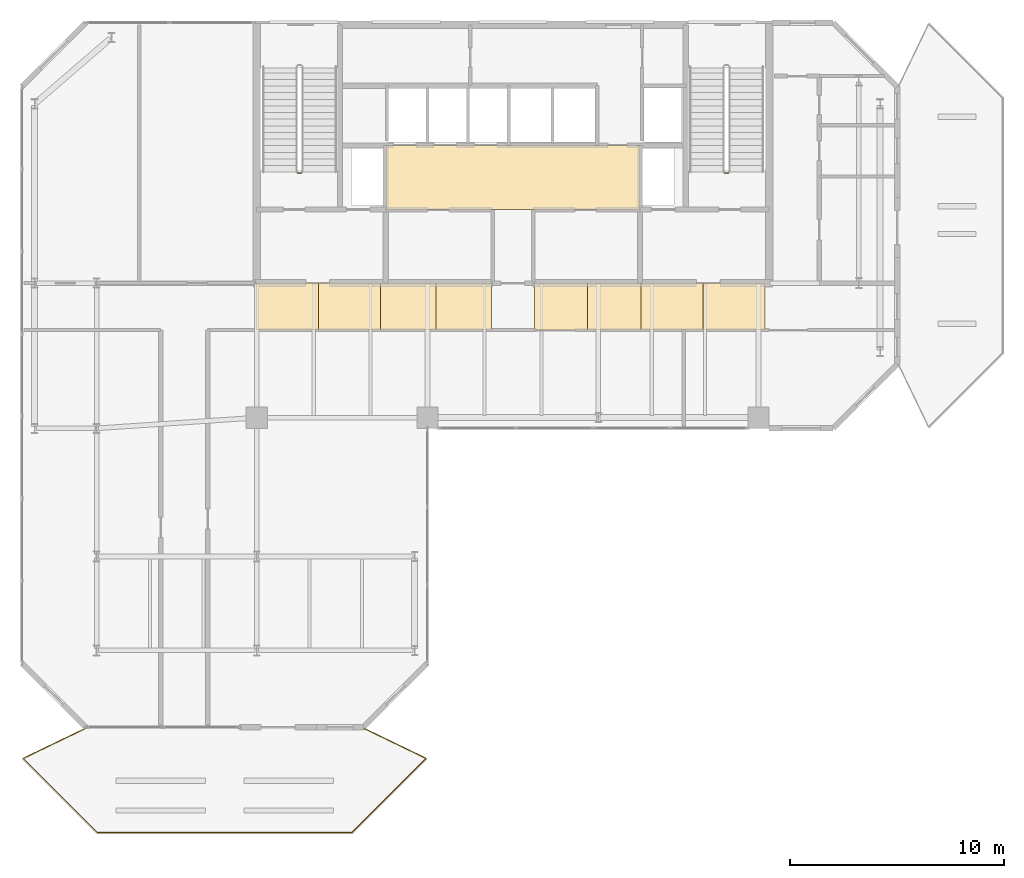
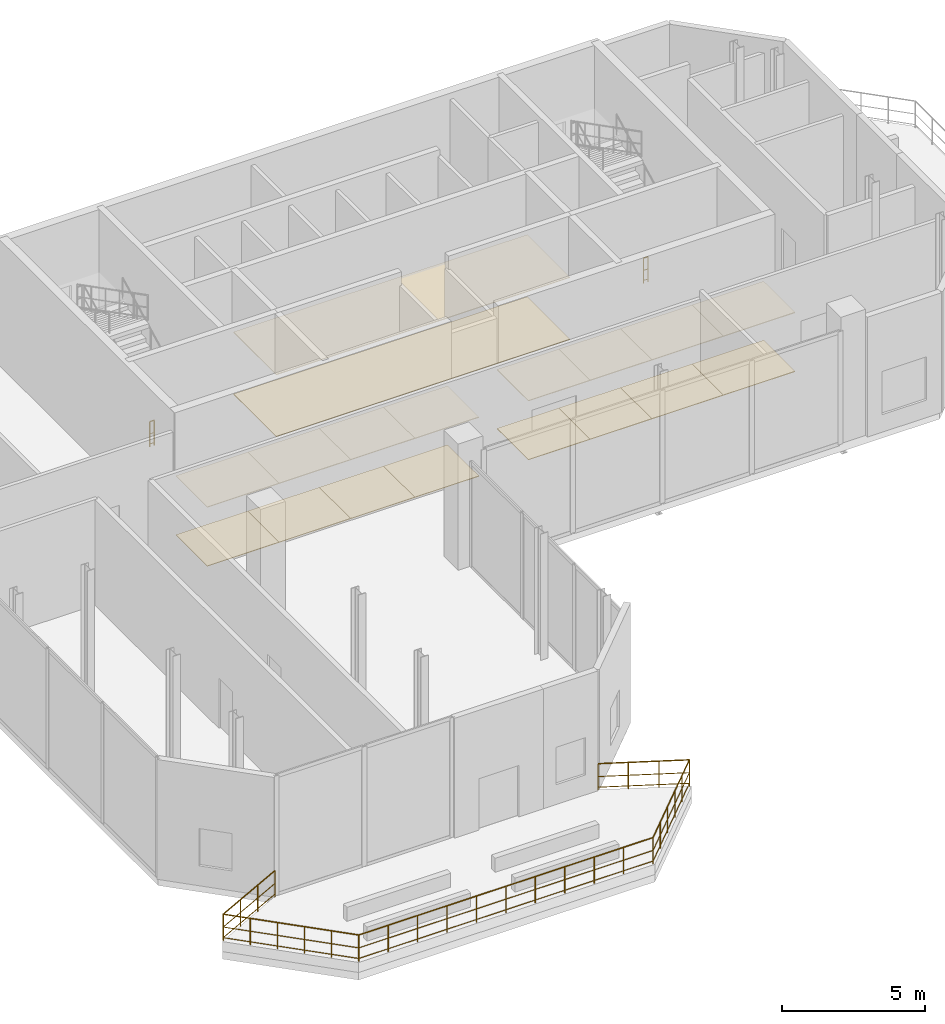
# One storey, part 16 of 17: 18 coverings, 3 railings.
"""IFC4 building model written with IfcOpenShell, lengths in metres."""

from ifc_helpers import new_model, si_unit, direction, frame, origin, origin_2d, place, context, subcontext, project, spatial, polyline, circle, outline, extrude, material, layer, layer_set, type_object, element, save


model = new_model("IFC4")

# Units and contexts
model_context = context("Model", 3, precision=1e-05, world=origin(), true_north=direction((0.0, 1.0)))
body_context = subcontext(model_context, "Body", "Model", "MODEL_VIEW")
ifc_project = project(units=[si_unit("LENGTHUNIT", "METRE"), si_unit("AREAUNIT", "SQUARE_METRE"), si_unit("VOLUMEUNIT", "CUBIC_METRE"), si_unit("PLANEANGLEUNIT", "RADIAN"), si_unit("MASSUNIT", "GRAM", prefix="KILO")], contexts=[model_context])

# Site, building, storey
site_placement = place(None, origin())
site = spatial("IfcSite", under=ifc_project, at=site_placement, CompositionType="ELEMENT")
building_placement = place(site_placement, origin())
building = spatial("IfcBuilding", under=site, at=building_placement, Name="Catumbela Crestline Tower", CompositionType="ELEMENT")
storey_placement = place(building_placement, frame((0.0, 0.0, 213.0)))
storey = spatial("IfcBuildingStorey", under=building, at=storey_placement, Name="L55", CompositionType="ELEMENT", Elevation=213.0)

# Coverings
ifc_material_1 = material(Name="Mineral-fibre acoustic ceiling")
ifc_layer_1 = layer(ifc_material_1, 0.03, Name="Mineral-fibre acoustic ceiling")
ifc_layer_set_1 = layer_set([ifc_layer_1], Name="Mineral-fibre acoustic ceiling")
covering_type_1 = type_object("IfcCoveringType", Name="CC-AC", PredefinedType="CEILING", material=ifc_layer_set_1)
covering_1_placement = place(storey_placement, frame((0.0, 0.0, 2.65)))
element("IfcCovering", 1, at=covering_1_placement, inside=storey, type_object=covering_type_1, Name="L55 Lift Lobby Acoustic Ceiling", PredefinedType="CEILING", context=body_context, shape_type="SweptSolid", body=[
    extrude(outline(polyline([(22.05, 34.25), (33.95, 34.25), (33.95, 37.25), (22.05, 37.25), (22.05, 34.25)])), origin(), (0.0, 0.0, 1.0), 0.03),
])
covering_2_placement = place(storey_placement, frame((0.0, 0.0, 2.52)))
element("IfcCovering", 2, at=covering_2_placement, inside=storey, type_object=covering_type_1, Name="L55 Corridor Acoustic Ceiling Bay 1", PredefinedType="CEILING", context=body_context, shape_type="SweptSolid", body=[
    extrude(outline(polyline([(16.0, 28.6), (18.9, 28.6), (18.9, 30.8), (16.0, 30.8), (16.0, 28.6)])), origin(), (0.0, 0.0, 1.0), 0.03),
])
covering_3_placement = place(storey_placement, frame((0.0, 0.0, 2.52)))
element("IfcCovering", 3, at=covering_3_placement, inside=storey, type_object=covering_type_1, Name="L55 Corridor Acoustic Ceiling Bay 2", PredefinedType="CEILING", context=body_context, shape_type="SweptSolid", body=[
    extrude(outline(polyline([(18.9, 28.6), (21.8, 28.6), (21.8, 30.8), (18.9, 30.8), (18.9, 28.6)])), origin(), (0.0, 0.0, 1.0), 0.03),
])
covering_4_placement = place(storey_placement, frame((0.0, 0.0, 2.52)))
element("IfcCovering", 4, at=covering_4_placement, inside=storey, type_object=covering_type_1, Name="L55 Corridor Acoustic Ceiling Bay 3", PredefinedType="CEILING", context=body_context, shape_type="SweptSolid", body=[
    extrude(outline(polyline([(21.8, 28.6), (24.4, 28.6), (24.4, 30.8), (21.8, 30.8), (21.8, 28.6)])), origin(), (0.0, 0.0, 1.0), 0.03),
])
covering_5_placement = place(storey_placement, frame((0.0, 0.0, 2.52)))
element("IfcCovering", 5, at=covering_5_placement, inside=storey, type_object=covering_type_1, Name="L55 Corridor Acoustic Ceiling Bay 4", PredefinedType="CEILING", context=body_context, shape_type="SweptSolid", body=[
    extrude(outline(polyline([(24.4, 28.6), (27.0, 28.6), (27.0, 30.8), (24.4, 30.8), (24.4, 28.6)])), origin(), (0.0, 0.0, 1.0), 0.03),
])
covering_6_placement = place(storey_placement, frame((0.0, 0.0, 2.52)))
element("IfcCovering", 6, at=covering_6_placement, inside=storey, type_object=covering_type_1, Name="L55 Corridor Acoustic Ceiling Bay 5", PredefinedType="CEILING", context=body_context, shape_type="SweptSolid", body=[
    extrude(outline(polyline([(29.0, 28.6), (31.5, 28.6), (31.5, 30.8), (29.0, 30.8), (29.0, 28.6)])), origin(), (0.0, 0.0, 1.0), 0.03),
])
covering_7_placement = place(storey_placement, frame((0.0, 0.0, 2.52)))
element("IfcCovering", 7, at=covering_7_placement, inside=storey, type_object=covering_type_1, Name="L55 Corridor Acoustic Ceiling Bay 6", PredefinedType="CEILING", context=body_context, shape_type="SweptSolid", body=[
    extrude(outline(polyline([(31.5, 28.6), (34.0, 28.6), (34.0, 30.8), (31.5, 30.8), (31.5, 28.6)])), origin(), (0.0, 0.0, 1.0), 0.03),
])
covering_8_placement = place(storey_placement, frame((0.0, 0.0, 2.52)))
element("IfcCovering", 8, at=covering_8_placement, inside=storey, type_object=covering_type_1, Name="L55 Corridor Acoustic Ceiling Bay 7", PredefinedType="CEILING", context=body_context, shape_type="SweptSolid", body=[
    extrude(outline(polyline([(34.0, 28.6), (36.9, 28.6), (36.9, 30.8), (34.0, 30.8), (34.0, 28.6)])), origin(), (0.0, 0.0, 1.0), 0.03),
])
covering_9_placement = place(storey_placement, frame((0.0, 0.0, 2.52)))
element("IfcCovering", 9, at=covering_9_placement, inside=storey, type_object=covering_type_1, Name="L55 Corridor Acoustic Ceiling Bay 8", PredefinedType="CEILING", context=body_context, shape_type="SweptSolid", body=[
    extrude(outline(polyline([(36.9, 28.6), (39.8, 28.6), (39.8, 30.8), (36.9, 30.8), (36.9, 28.6)])), origin(), (0.0, 0.0, 1.0), 0.03),
])
ifc_material_2 = material(Name="Angolan grey-ochre granite", Category="masonry")
ifc_layer_2 = layer(ifc_material_2, 0.025, Name="Angolan grey-ochre granite")
ifc_layer_set_2 = layer_set([ifc_layer_2], Name="Angolan grey-ochre granite")
covering_type_2 = type_object("IfcCoveringType", Name="CF-GR", PredefinedType="FLOORING", material=ifc_layer_set_2)
covering_10_placement = place(storey_placement, origin())
element("IfcCovering", 10, at=covering_10_placement, inside=storey, type_object=covering_type_2, Name="L55 Corridor Granite Flooring Bay 1", PredefinedType="FLOORING", context=body_context, shape_type="SweptSolid", body=[
    extrude(outline(polyline([(16.0, 28.6), (18.9, 28.6), (18.9, 30.8), (16.0, 30.8), (16.0, 28.6)])), origin(), (0.0, 0.0, 1.0), 0.025),
])
covering_11_placement = place(storey_placement, origin())
element("IfcCovering", 11, at=covering_11_placement, inside=storey, type_object=covering_type_2, Name="L55 Corridor Granite Flooring Bay 2", PredefinedType="FLOORING", context=body_context, shape_type="SweptSolid", body=[
    extrude(outline(polyline([(18.9, 28.6), (21.8, 28.6), (21.8, 30.8), (18.9, 30.8), (18.9, 28.6)])), origin(), (0.0, 0.0, 1.0), 0.025),
])
covering_12_placement = place(storey_placement, origin())
element("IfcCovering", 12, at=covering_12_placement, inside=storey, type_object=covering_type_2, Name="L55 Corridor Granite Flooring Bay 3", PredefinedType="FLOORING", context=body_context, shape_type="SweptSolid", body=[
    extrude(outline(polyline([(21.8, 28.6), (24.4, 28.6), (24.4, 30.8), (21.8, 30.8), (21.8, 28.6)])), origin(), (0.0, 0.0, 1.0), 0.025),
])
covering_13_placement = place(storey_placement, origin())
element("IfcCovering", 13, at=covering_13_placement, inside=storey, type_object=covering_type_2, Name="L55 Corridor Granite Flooring Bay 4", PredefinedType="FLOORING", context=body_context, shape_type="SweptSolid", body=[
    extrude(outline(polyline([(24.4, 28.6), (27.0, 28.6), (27.0, 30.8), (24.4, 30.8), (24.4, 28.6)])), origin(), (0.0, 0.0, 1.0), 0.025),
])
covering_14_placement = place(storey_placement, origin())
element("IfcCovering", 14, at=covering_14_placement, inside=storey, type_object=covering_type_2, Name="L55 Corridor Granite Flooring Bay 5", PredefinedType="FLOORING", context=body_context, shape_type="SweptSolid", body=[
    extrude(outline(polyline([(29.0, 28.6), (31.5, 28.6), (31.5, 30.8), (29.0, 30.8), (29.0, 28.6)])), origin(), (0.0, 0.0, 1.0), 0.025),
])
covering_15_placement = place(storey_placement, origin())
element("IfcCovering", 15, at=covering_15_placement, inside=storey, type_object=covering_type_2, Name="L55 Corridor Granite Flooring Bay 6", PredefinedType="FLOORING", context=body_context, shape_type="SweptSolid", body=[
    extrude(outline(polyline([(31.5, 28.6), (34.0, 28.6), (34.0, 30.8), (31.5, 30.8), (31.5, 28.6)])), origin(), (0.0, 0.0, 1.0), 0.025),
])
covering_16_placement = place(storey_placement, origin())
element("IfcCovering", 16, at=covering_16_placement, inside=storey, type_object=covering_type_2, Name="L55 Corridor Granite Flooring Bay 7", PredefinedType="FLOORING", context=body_context, shape_type="SweptSolid", body=[
    extrude(outline(polyline([(34.0, 28.6), (36.9, 28.6), (36.9, 30.8), (34.0, 30.8), (34.0, 28.6)])), origin(), (0.0, 0.0, 1.0), 0.025),
])
covering_17_placement = place(storey_placement, origin())
element("IfcCovering", 17, at=covering_17_placement, inside=storey, type_object=covering_type_2, Name="L55 Corridor Granite Flooring Bay 8", PredefinedType="FLOORING", context=body_context, shape_type="SweptSolid", body=[
    extrude(outline(polyline([(36.9, 28.6), (39.8, 28.6), (39.8, 30.8), (36.9, 30.8), (36.9, 28.6)])), origin(), (0.0, 0.0, 1.0), 0.025),
])
covering_18_placement = place(storey_placement, origin())
element("IfcCovering", 18, at=covering_18_placement, inside=storey, type_object=covering_type_2, Name="L55 Lift Lobby Granite Flooring", PredefinedType="FLOORING", context=body_context, shape_type="SweptSolid", body=[
    extrude(outline(polyline([(22.05, 34.25), (33.95, 34.25), (33.95, 37.25), (22.05, 37.25), (22.05, 34.25)])), origin(), (0.0, 0.0, 1.0), 0.025),
])

# Railings
ifc_material_3 = material(Name="Stainless steel EN 1.4401", Category="steel")
railing_type_1 = type_object("IfcRailingType", Name="RG-1100", PredefinedType="GUARDRAIL", material=ifc_material_3)
for number, where, name in (
    (19, (18.09, 35.95, 0.0), "L55 ST-01 stair guard 4"),
    (20, (38.09, 35.95, 0.0), "L55 ST-02 stair guard 4"),
):
    element("IfcRailing", number, at=place(storey_placement, frame(where)), inside=storey, type_object=railing_type_1, Name=name, PredefinedType="GUARDRAIL", context=body_context, shape_type="SweptSolid", body=[
        extrude(circle(Radius=0.024, at=origin_2d()), frame((0.0, 0.0, 1.076), z_axis=(-1.0, 0.0, 0.0), x_axis=(0.0, -1.0, 0.0)), (0.0, 0.0, 1.0), 0.18),
        extrude(circle(Radius=0.0156, at=origin_2d()), frame((0.0, 0.0, 0.55), z_axis=(-1.0, 0.0, 0.0), x_axis=(0.0, -1.0, 0.0)), (0.0, 0.0, 1.0), 0.18),
        extrude(circle(Radius=0.0156, at=origin_2d()), frame((0.0, 0.0, 0.12), z_axis=(-1.0, 0.0, 0.0), x_axis=(0.0, -1.0, 0.0)), (0.0, 0.0, 1.0), 0.18),
        extrude(circle(Radius=0.021, at=origin_2d()), origin(), (0.0, 0.0, 1.0), 1.052),
        extrude(circle(Radius=0.021, at=origin_2d()), frame((-0.18, 0.0, 0.0)), (0.0, 0.0, 1.0), 1.052),
    ])
railing_type_2 = type_object("IfcRailingType", Name="RT-1150", PredefinedType="BALUSTRADE", material=ifc_material_3)
railing_placement = place(storey_placement, frame((7.96, 9.94, -0.02)))
element("IfcRailing", 21, at=railing_placement, inside=storey, type_object=railing_type_2, Name="L55 Sky-Garden Terrace Balustrade TER-L55-S", PredefinedType="BALUSTRADE", context=body_context, shape_type="SweptSolid", body=[
    extrude(circle(Radius=0.024, at=origin_2d()), frame((0.0, 0.0, 1.126), z_axis=(-0.900551636365, -0.434749065831, 0.0), x_axis=(0.434749065831, -0.900551636365, 0.0)), (0.0, 0.0, 1.0), 3.2202),
    extrude(circle(Radius=0.0156, at=origin_2d()), frame((0.0, 0.0, 0.575), z_axis=(-0.900551636365, -0.434749065831, 0.0), x_axis=(0.434749065831, -0.900551636365, 0.0)), (0.0, 0.0, 1.0), 3.2202),
    extrude(circle(Radius=0.0156, at=origin_2d()), frame((0.0, 0.0, 0.12), z_axis=(-0.900551636365, -0.434749065831, 0.0), x_axis=(0.434749065831, -0.900551636365, 0.0)), (0.0, 0.0, 1.0), 3.2202),
    extrude(circle(Radius=0.024, at=origin_2d()), frame((-2.9, -1.4, 1.126), z_axis=(0.707106781187, -0.707106781187, 0.0), x_axis=(0.707106781187, 0.707106781187, 0.0)), (0.0, 0.0, 1.0), 4.9215),
    extrude(circle(Radius=0.0156, at=origin_2d()), frame((-2.9, -1.4, 0.575), z_axis=(0.707106781187, -0.707106781187, 0.0), x_axis=(0.707106781187, 0.707106781187, 0.0)), (0.0, 0.0, 1.0), 4.9215),
    extrude(circle(Radius=0.0156, at=origin_2d()), frame((-2.9, -1.4, 0.12), z_axis=(0.707106781187, -0.707106781187, 0.0), x_axis=(0.707106781187, 0.707106781187, 0.0)), (0.0, 0.0, 1.0), 4.9215),
    extrude(circle(Radius=0.024, at=origin_2d()), frame((0.58, -4.88, 1.126), z_axis=(1.0, 0.0, 0.0), x_axis=(0.0, 1.0, 0.0)), (0.0, 0.0, 1.0), 11.92),
    extrude(circle(Radius=0.0156, at=origin_2d()), frame((0.58, -4.88, 0.575), z_axis=(1.0, 0.0, 0.0), x_axis=(0.0, 1.0, 0.0)), (0.0, 0.0, 1.0), 11.92),
    extrude(circle(Radius=0.0156, at=origin_2d()), frame((0.58, -4.88, 0.12), z_axis=(1.0, 0.0, 0.0), x_axis=(0.0, 1.0, 0.0)), (0.0, 0.0, 1.0), 11.92),
    extrude(circle(Radius=0.024, at=origin_2d()), frame((12.5, -4.88, 1.126), z_axis=(0.707106781187, 0.707106781187, 0.0), x_axis=(-0.707106781187, 0.707106781187, 0.0)), (0.0, 0.0, 1.0), 4.9215),
    extrude(circle(Radius=0.0156, at=origin_2d()), frame((12.5, -4.88, 0.575), z_axis=(0.707106781187, 0.707106781187, 0.0), x_axis=(-0.707106781187, 0.707106781187, 0.0)), (0.0, 0.0, 1.0), 4.9215),
    extrude(circle(Radius=0.0156, at=origin_2d()), frame((12.5, -4.88, 0.12), z_axis=(0.707106781187, 0.707106781187, 0.0), x_axis=(-0.707106781187, 0.707106781187, 0.0)), (0.0, 0.0, 1.0), 4.9215),
    extrude(circle(Radius=0.024, at=origin_2d()), frame((15.98, -1.4, 1.126), z_axis=(-0.900551636365, 0.434749065831, 0.0), x_axis=(-0.434749065831, -0.900551636365, 0.0)), (0.0, 0.0, 1.0), 3.2202),
    extrude(circle(Radius=0.0156, at=origin_2d()), frame((15.98, -1.4, 0.575), z_axis=(-0.900551636365, 0.434749065831, 0.0), x_axis=(-0.434749065831, -0.900551636365, 0.0)), (0.0, 0.0, 1.0), 3.2202),
    extrude(circle(Radius=0.0156, at=origin_2d()), frame((15.98, -1.4, 0.12), z_axis=(-0.900551636365, 0.434749065831, 0.0), x_axis=(-0.434749065831, -0.900551636365, 0.0)), (0.0, 0.0, 1.0), 3.2202),
    extrude(circle(Radius=0.021, at=origin_2d()), origin(), (0.0, 0.0, 1.0), 1.102),
    extrude(circle(Radius=0.021, at=origin_2d()), frame((-0.9667, -0.4667, 0.0)), (0.0, 0.0, 1.0), 1.102),
    extrude(circle(Radius=0.021, at=origin_2d()), frame((-1.9333, -0.9333, 0.0)), (0.0, 0.0, 1.0), 1.102),
    extrude(circle(Radius=0.021, at=origin_2d()), frame((-2.9, -1.4, 0.0)), (0.0, 0.0, 1.0), 1.102),
    extrude(circle(Radius=0.021, at=origin_2d()), frame((-2.204, -2.096, 0.0)), (0.0, 0.0, 1.0), 1.102),
    extrude(circle(Radius=0.021, at=origin_2d()), frame((-1.508, -2.792, 0.0)), (0.0, 0.0, 1.0), 1.102),
    extrude(circle(Radius=0.021, at=origin_2d()), frame((-0.812, -3.488, 0.0)), (0.0, 0.0, 1.0), 1.102),
    extrude(circle(Radius=0.021, at=origin_2d()), frame((-0.116, -4.184, 0.0)), (0.0, 0.0, 1.0), 1.102),
    extrude(circle(Radius=0.021, at=origin_2d()), frame((0.58, -4.88, 0.0)), (0.0, 0.0, 1.0), 1.102),
    extrude(circle(Radius=0.021, at=origin_2d()), frame((1.772, -4.88, 0.0)), (0.0, 0.0, 1.0), 1.102),
    extrude(circle(Radius=0.021, at=origin_2d()), frame((2.964, -4.88, 0.0)), (0.0, 0.0, 1.0), 1.102),
    extrude(circle(Radius=0.021, at=origin_2d()), frame((4.156, -4.88, 0.0)), (0.0, 0.0, 1.0), 1.102),
    extrude(circle(Radius=0.021, at=origin_2d()), frame((5.348, -4.88, 0.0)), (0.0, 0.0, 1.0), 1.102),
    extrude(circle(Radius=0.021, at=origin_2d()), frame((6.54, -4.88, 0.0)), (0.0, 0.0, 1.0), 1.102),
    extrude(circle(Radius=0.021, at=origin_2d()), frame((7.732, -4.88, 0.0)), (0.0, 0.0, 1.0), 1.102),
    extrude(circle(Radius=0.021, at=origin_2d()), frame((8.924, -4.88, 0.0)), (0.0, 0.0, 1.0), 1.102),
    extrude(circle(Radius=0.021, at=origin_2d()), frame((10.116, -4.88, 0.0)), (0.0, 0.0, 1.0), 1.102),
    extrude(circle(Radius=0.021, at=origin_2d()), frame((11.308, -4.88, 0.0)), (0.0, 0.0, 1.0), 1.102),
    extrude(circle(Radius=0.021, at=origin_2d()), frame((12.5, -4.88, 0.0)), (0.0, 0.0, 1.0), 1.102),
    extrude(circle(Radius=0.021, at=origin_2d()), frame((13.196, -4.184, 0.0)), (0.0, 0.0, 1.0), 1.102),
    extrude(circle(Radius=0.021, at=origin_2d()), frame((13.892, -3.488, 0.0)), (0.0, 0.0, 1.0), 1.102),
    extrude(circle(Radius=0.021, at=origin_2d()), frame((14.588, -2.792, 0.0)), (0.0, 0.0, 1.0), 1.102),
    extrude(circle(Radius=0.021, at=origin_2d()), frame((15.284, -2.096, 0.0)), (0.0, 0.0, 1.0), 1.102),
    extrude(circle(Radius=0.021, at=origin_2d()), frame((15.98, -1.4, 0.0)), (0.0, 0.0, 1.0), 1.102),
    extrude(circle(Radius=0.021, at=origin_2d()), frame((15.0133, -0.9333, 0.0)), (0.0, 0.0, 1.0), 1.102),
    extrude(circle(Radius=0.021, at=origin_2d()), frame((14.0467, -0.4667, 0.0)), (0.0, 0.0, 1.0), 1.102),
    extrude(circle(Radius=0.021, at=origin_2d()), frame((13.08, 0.0, 0.0)), (0.0, 0.0, 1.0), 1.102),
])

save(model, "model.ifc")
